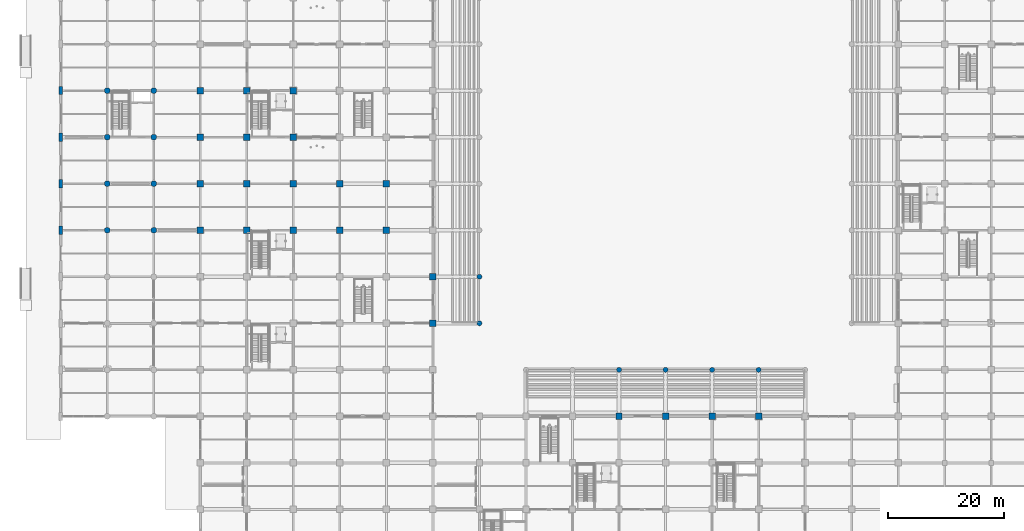
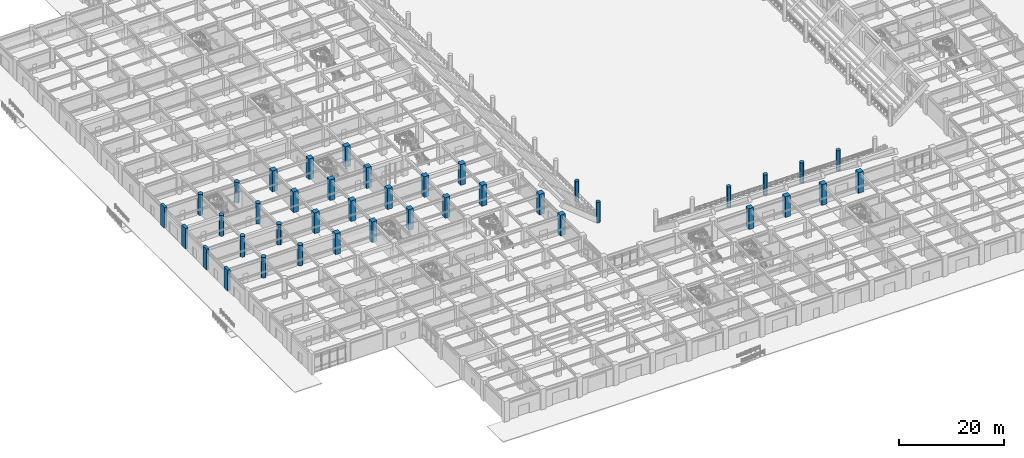
# One storey, part 5 of 125: 40 columns.
"""IFC4 building model written with IfcOpenShell, lengths in metres."""

from ifc_helpers import new_model, si_unit, direction, frame, origin, origin_2d, place, context, subcontext, project, spatial, rectangle, circle, extrude, material, material_profile, profile_set, type_object, element, save


model = new_model("IFC4")

# Units and contexts
model_context = context("Model", 3, precision=1e-05, world=origin(), true_north=direction((0.0, 1.0)))
body_context = subcontext(model_context, "Body", "Model", "MODEL_VIEW")
ifc_project = project(units=[si_unit("LENGTHUNIT", "METRE"), si_unit("AREAUNIT", "SQUARE_METRE"), si_unit("VOLUMEUNIT", "CUBIC_METRE"), si_unit("PLANEANGLEUNIT", "RADIAN"), si_unit("MASSUNIT", "GRAM", prefix="KILO")], contexts=[model_context])

# Site, building, storey
site_placement = place(None, origin())
site = spatial("IfcSite", under=ifc_project, at=site_placement, CompositionType="ELEMENT")
building_placement = place(site_placement, origin())
building = spatial("IfcBuilding", under=site, at=building_placement, Name="Haebicheon Civic Stadium", CompositionType="ELEMENT")
storey_placement = place(building_placement, origin())
storey = spatial("IfcBuildingStorey", under=building, at=storey_placement, Name="L01", CompositionType="ELEMENT", Elevation=0.0)

# Columns
ifc_material_1 = material(Name="Concrete C40/50", Category="concrete")
ifc_material_profile_1 = material_profile(ifc_material_1, rectangle(XDim=1.10009765625, YDim=1.10009765625, at=origin_2d()), Name="RC-COL-1100x1100")
ifc_profile_set_1 = profile_set([ifc_material_profile_1], Name="Concrete C40/50")
column_type_1 = type_object("IfcColumnType", Name="COL-RC-1100", PredefinedType="COLUMN", material=ifc_profile_set_1)
for number, where, z_axis, x_axis, name in (
    (1, (24.0, 64.0, 0.0), (0.0, 0.0, 1.0), (1.0, 0.0, 0.0), "L01 column 4/J"),
    (2, (24.0, 72.0, 0.0), (0.0, 0.0, 1.0), (1.0, 0.0, 0.0), "L01 column 4/K"),
    (3, (24.0, 80.0, 0.0), (0.0, 0.0, 1.0), (1.0, 0.0, 0.0), "L01 column 4/L"),
    (4, (24.0, 88.0, 0.0), (0.0, 0.0, 1.0), (1.0, 0.0, 0.0), "L01 column 4/M"),
    (5, (32.0, 64.0, 0.0), (0.0, 0.0, 1.0), (1.0, 0.0, 0.0), "L01 column 5/J"),
    (6, (32.0, 72.0, 0.0), (0.0, 0.0, 1.0), (1.0, 0.0, 0.0), "L01 column 5/K"),
    (7, (32.0, 80.0, 0.0), (0.0, 0.0, 1.0), (1.0, 0.0, 0.0), "L01 column 5/L"),
    (8, (32.0, 88.0, 0.0), (0.0, 0.0, 1.0), (1.0, 0.0, 0.0), "L01 column 5/M"),
    (9, (40.0, 64.0, 0.0), (0.0, 0.0, 1.0), (1.0, 0.0, 0.0), "L01 column 6/J"),
    (10, (40.0, 72.0, 0.0), (0.0, 0.0, 1.0), (1.0, 0.0, 0.0), "L01 column 6/K"),
    (11, (40.0, 80.0, 0.0), (0.0, 0.0, 1.0), (1.0, 0.0, 0.0), "L01 column 6/L"),
    (12, (40.0, 88.0, 0.0), (0.0, 0.0, 1.0), (1.0, 0.0, 0.0), "L01 column 6/M"),
    (13, (48.0, 64.0, 0.0), (0.0, 0.0, 1.0), (1.0, 0.0, 0.0), "L01 column 7/J"),
    (14, (48.0, 72.0, 0.0), (0.0, 0.0, 1.0), (1.0, 0.0, 0.0), "L01 column 7/K"),
    (15, (56.0, 64.0, 0.0), (0.0, 0.0, 1.0), (1.0, 0.0, 0.0), "L01 column 8/J"),
    (16, (56.0, 72.0, 0.0), (0.0, 0.0, 1.0), (1.0, 0.0, 0.0), "L01 column 8/K"),
    (17, (64.0, 48.0, 0.0), (0.0, 0.0, 1.0), (1.0, 0.0, 0.0), "L01 column 9/G"),
    (18, (64.0, 56.0, 0.0), (0.0, 0.0, 1.0), (1.0, 0.0, 0.0), "L01 column 9/H"),
    (19, (96.0, 32.0, 0.0), (0.0, 0.0, 1.0), (1.0, 0.0, 0.0), "L01 column 13/E"),
    (20, (104.0, 32.0, 0.0), (0.0, 0.0, 1.0), (1.0, 0.0, 0.0), "L01 column 14/E"),
    (21, (112.0, 32.0, 0.0), (0.0, 0.0, 1.0), (1.0, 0.0, 0.0), "L01 column 15/E"),
    (22, (120.0, 32.0, 0.0), (0.0, 0.0, 1.0), (1.0, 0.0, 0.0), "L01 column 16/E"),
):
    element("IfcColumn", number, at=place(storey_placement, frame(where, z_axis=z_axis, x_axis=x_axis)), inside=storey, type_object=column_type_1, material=ifc_profile_set_1, Name=name, PredefinedType="COLUMN", context=body_context, shape_type="SweptSolid", body=[
        extrude(rectangle(XDim=1.10009765625, YDim=1.10009765625, at=origin_2d()), origin(), (0.0, 0.0, 1.0), 4.800048828125),
    ])
ifc_material_2 = material(Name="Concrete C40/50", Category="concrete")
ifc_material_profile_2 = material_profile(ifc_material_2, circle(Radius=0.5, at=origin_2d()), Name="RC-COL-D1000")
ifc_profile_set_2 = profile_set([ifc_material_profile_2], Name="Concrete C40/50")
column_type_2 = type_object("IfcColumnType", Name="COL-RC-D1000", PredefinedType="COLUMN", material=ifc_profile_set_2)
for number, where, z_axis, x_axis, name in (
    (23, (8.0, 64.0, 0.0), (0.0, 0.0, 1.0), (1.0, 0.0, 0.0), "L01 column 2/J"),
    (24, (8.0, 72.0, 0.0), (0.0, 0.0, 1.0), (1.0, 0.0, 0.0), "L01 column 2/K"),
    (25, (8.0, 80.0, 0.0), (0.0, 0.0, 1.0), (1.0, 0.0, 0.0), "L01 column 2/L"),
    (26, (8.0, 88.0, 0.0), (0.0, 0.0, 1.0), (1.0, 0.0, 0.0), "L01 column 2/M"),
    (27, (16.0, 64.0, 0.0), (0.0, 0.0, 1.0), (1.0, 0.0, 0.0), "L01 column 3/J"),
    (28, (16.0, 72.0, 0.0), (0.0, 0.0, 1.0), (1.0, 0.0, 0.0), "L01 column 3/K"),
    (29, (16.0, 80.0, 0.0), (0.0, 0.0, 1.0), (1.0, 0.0, 0.0), "L01 column 3/L"),
    (30, (16.0, 88.0, 0.0), (0.0, 0.0, 1.0), (1.0, 0.0, 0.0), "L01 column 3/M"),
):
    element("IfcColumn", number, at=place(storey_placement, frame(where, z_axis=z_axis, x_axis=x_axis)), inside=storey, type_object=column_type_2, material=ifc_profile_set_2, Name=name, PredefinedType="COLUMN", context=body_context, shape_type="SweptSolid", body=[
        extrude(circle(Radius=0.5, at=origin_2d()), origin(), (0.0, 0.0, 1.0), 4.800048828125),
    ])
ifc_material_3 = material(Name="Concrete C40/50", Category="concrete")
ifc_material_profile_3 = material_profile(ifc_material_3, circle(Radius=0.425048828125, at=origin_2d()), Name="RC-COL-D850")
ifc_profile_set_3 = profile_set([ifc_material_profile_3], Name="Concrete C40/50")
column_type_3 = type_object("IfcColumnType", Name="COL-RC-D850", PredefinedType="COLUMN", material=ifc_profile_set_3)
for number, where, z_axis, x_axis, name in (
    (31, (72.0, 48.0, 0.0), (0.0, 0.0, 1.0), (1.0, 0.0, 0.0), "Bowl/canopy support column 72/48 (L01)"),
    (32, (72.0, 56.0, 0.0), (0.0, 0.0, 1.0), (1.0, 0.0, 0.0), "Bowl/canopy support column 72/56 (L01)"),
    (33, (96.0, 40.0, 0.0), (0.0, 0.0, 1.0), (1.0, 0.0, 0.0), "Bowl/canopy support column 96/40 (L01)"),
    (34, (104.0, 40.0, 0.0), (0.0, 0.0, 1.0), (1.0, 0.0, 0.0), "Bowl/canopy support column 104/40 (L01)"),
    (35, (112.0, 40.0, 0.0), (0.0, 0.0, 1.0), (1.0, 0.0, 0.0), "Bowl/canopy support column 112/40 (L01)"),
    (36, (120.0, 40.0, 0.0), (0.0, 0.0, 1.0), (1.0, 0.0, 0.0), "Bowl/canopy support column 120/40 (L01)"),
):
    element("IfcColumn", number, at=place(storey_placement, frame(where, z_axis=z_axis, x_axis=x_axis)), inside=storey, type_object=column_type_3, material=ifc_profile_set_3, Name=name, PredefinedType="COLUMN", context=body_context, shape_type="SweptSolid", body=[
        extrude(circle(Radius=0.425048828125, at=origin_2d()), origin(), (0.0, 0.0, 1.0), 4.800048828125),
    ])
ifc_material_4 = material(Name="Concrete C40/50", Category="concrete")
ifc_material_profile_4 = material_profile(ifc_material_4, rectangle(XDim=0.60009765625, YDim=1.39990234375, at=origin_2d()), Name="RC-PIL-600x1400")
ifc_profile_set_4 = profile_set([ifc_material_profile_4], Name="Concrete C40/50")
column_type_4 = type_object("IfcColumnType", Name="PIL-RC-600x1400", PredefinedType="PILASTER", material=ifc_profile_set_4)
for number, where, z_axis, x_axis, name in (
    (37, (0.0, 64.0, 0.0), (0.0, 0.0, 1.0), (1.0, 0.0, 0.0), "L01 column 1/J"),
    (38, (0.0, 72.0, 0.0), (0.0, 0.0, 1.0), (1.0, 0.0, 0.0), "L01 column 1/K"),
    (39, (0.0, 80.0, 0.0), (0.0, 0.0, 1.0), (1.0, 0.0, 0.0), "L01 column 1/L"),
    (40, (0.0, 88.0, 0.0), (0.0, 0.0, 1.0), (1.0, 0.0, 0.0), "L01 column 1/M"),
):
    element("IfcColumn", number, at=place(storey_placement, frame(where, z_axis=z_axis, x_axis=x_axis)), inside=storey, type_object=column_type_4, material=ifc_profile_set_4, Name=name, PredefinedType="PILASTER", context=body_context, shape_type="SweptSolid", body=[
        extrude(rectangle(XDim=0.60009765625, YDim=1.39990234375, at=origin_2d()), origin(), (0.0, 0.0, 1.0), 4.800048828125),
    ])

save(model, "model.ifc")
